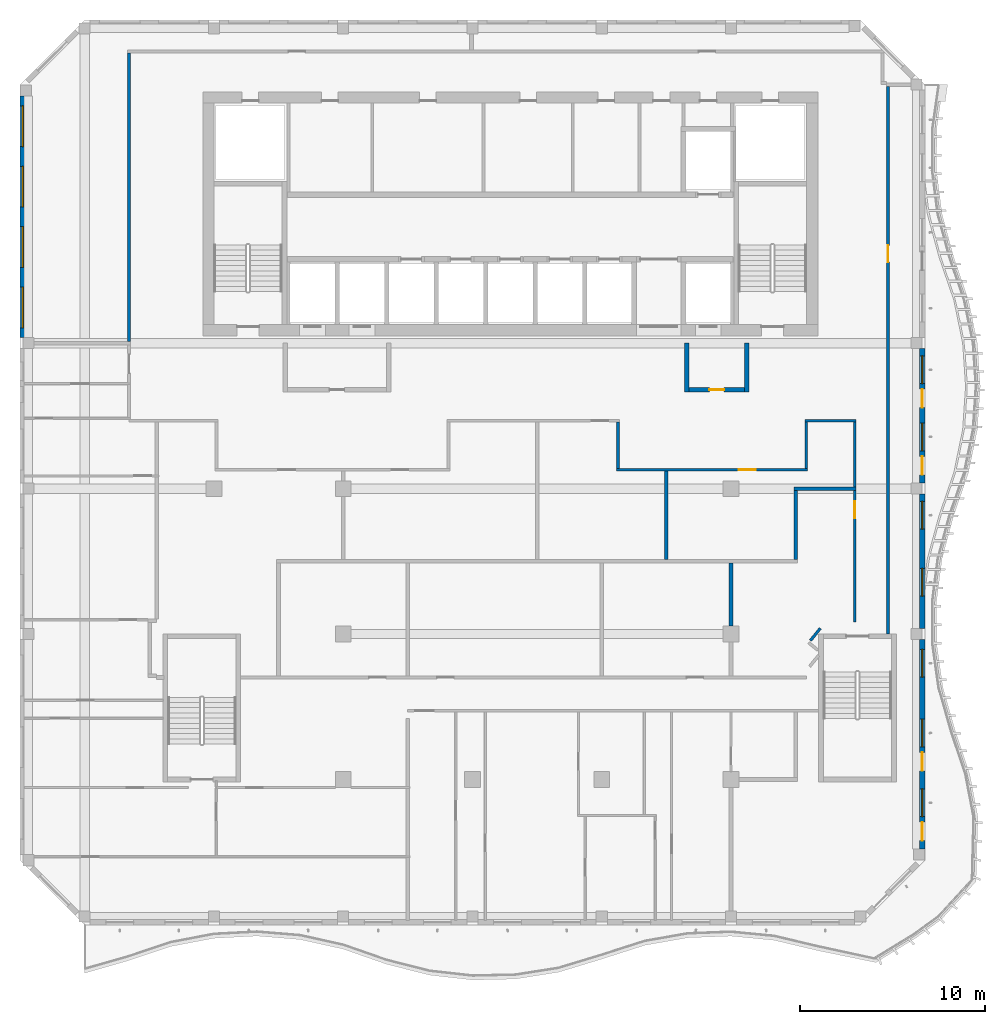
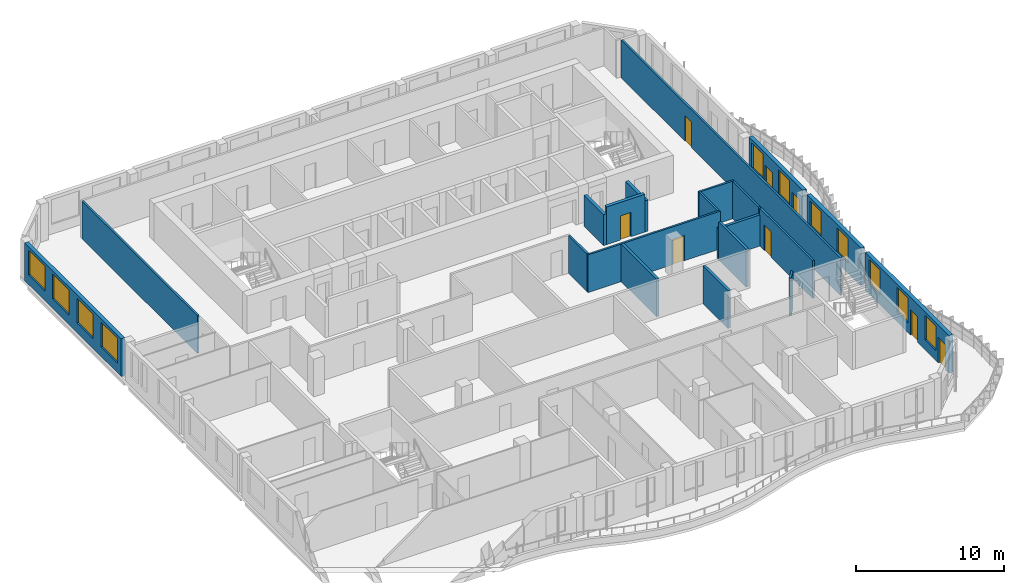
# One storey, part 5 of 17: 20 walls, 11 windows, 8 doors, 19 openings.
"""IFC4 building model written with IfcOpenShell, lengths in metres."""

from ifc_helpers import new_model, si_unit, direction, frame, frame_2d, origin, place, context, subcontext, project, spatial, rectangle, extrude, source, transform, mapped, material, layer, layer_set, type_object, element, fill, save


model = new_model("IFC4")

# Units and contexts
model_context = context("Model", 3, precision=1e-05, world=origin(), true_north=direction((0.0, 1.0)))
body_context = subcontext(model_context, "Body", "Model", "MODEL_VIEW")
ifc_project = project(units=[si_unit("LENGTHUNIT", "METRE"), si_unit("AREAUNIT", "SQUARE_METRE"), si_unit("VOLUMEUNIT", "CUBIC_METRE"), si_unit("PLANEANGLEUNIT", "RADIAN"), si_unit("MASSUNIT", "GRAM", prefix="KILO")], contexts=[model_context])

# Site, building, storey
site_placement = place(None, origin())
site = spatial("IfcSite", under=ifc_project, at=site_placement, CompositionType="ELEMENT")
building_placement = place(site_placement, origin())
building = spatial("IfcBuilding", under=site, at=building_placement, Name="Kilnfold Tower and Market Hall", CompositionType="ELEMENT")
storey_placement = place(building_placement, frame((0.0, 0.0, 305.199951171875)))
storey = spatial("IfcBuildingStorey", under=building, at=storey_placement, Name="L76", CompositionType="ELEMENT", Elevation=305.199951171875)

# Wall, opening, door
ifc_material_1 = material(Name="Gypsum board on steel studs", Category="steel")
ifc_layer_1 = layer(ifc_material_1, 0.14990234375)
ifc_layer_set_1 = layer_set([ifc_layer_1], Name="Gypsum board on steel studs")
wall_type_1 = type_object("IfcWallType", Name="WALL CORRIDOR 150", PredefinedType="PARTITIONING", material=ifc_layer_set_1)
wall_1_placement = place(storey_placement, frame((21.5, -7.75, 0.0), z_axis=(0.0, 0.0, 1.0), x_axis=(0.0, 1.0, 0.0)))
wall_1 = element("IfcWall", 1, at=wall_1_placement, inside=storey, type_object=wall_type_1, Name="Partition LY46.5", PredefinedType="PARTITIONING", context=body_context, shape_type="SweptSolid", body=[
    extrude(rectangle(XDim=29.659912109375, YDim=0.14990234375, at=frame_2d((14.830078125, 0.0))), origin(), (0.0, 0.0, 1.0), 3.1201171875),
])
opening_1_placement = place(wall_1_placement, frame((20.14208984375, 0.0, 0.0)))
opening_1 = element("IfcOpeningElement", 2, at=opening_1_placement, cuts=wall_1, Name="Opening D2", PredefinedType="OPENING", context=body_context, shape_type="SweptSolid", body=[
    extrude(rectangle(XDim=0.89990234375, YDim=2.10009765625, at=frame_2d((0.449951171875, 1.050048828125))), frame((0.0, 0.0849609375, 0.0), z_axis=(0.0, -1.0, 0.0), x_axis=(1.0, 0.0, 0.0)), (0.0, 0.0, 1.0), 0.169921875),
])
ifc_material_2 = material(Name="Timber veneer door leaf in steel frame", Category="steel")
door_type_1 = type_object("IfcDoorType", Name="DOOR ROOM 900 X2100", OperationType="NOTDEFINED", PredefinedType="DOOR", material=ifc_material_2)
door_1_placement = place(opening_1_placement, origin())
door_1 = element("IfcDoor", 3, at=door_1_placement, inside=storey, type_object=door_type_1, Name="Door D2", OperationType="SINGLE_SWING_RIGHT", OverallHeight=2.10009765625, OverallWidth=0.89990234375, PredefinedType="DOOR", context=body_context, shape_type="SweptSolid", body=[
    extrude(rectangle(XDim=0.89990234375, YDim=2.10009765625, at=frame_2d((0.449951171875, 1.050048828125))), frame((0.0, 0.02490234375, 0.0), z_axis=(0.0, -1.0, 0.0), x_axis=(1.0, 0.0, 0.0)), (0.0, 0.0, 1.0), 0.050048828125),
])
fill(opening_1, door_1)

# Wall
wall_2_placement = place(storey_placement, frame((-19.60009765625, 8.090087890625, 0.0), z_axis=(0.0, 0.0, 1.0), x_axis=(0.0, 1.0, 0.0)))
element("IfcWall", 4, at=wall_2_placement, inside=storey, type_object=wall_type_1, Name="Partition LY46.6", PredefinedType="PARTITIONING", context=body_context, shape_type="SweptSolid", body=[
    extrude(rectangle(XDim=15.635009765625, YDim=0.14990234375, at=frame_2d((7.8173828125, 0.0))), origin(), (0.0, 0.0, 1.0), 3.1201171875),
])

# Wall, opening, door
wall_3_placement = place(storey_placement, frame((6.804931640625, 1.14990234375, 0.0), z_axis=(0.0, 0.0, 1.0), x_axis=(1.0, 0.0, 0.0)))
wall_3 = element("IfcWall", 5, at=wall_3_placement, inside=storey, type_object=wall_type_1, Name="Partition LY46.15", PredefinedType="PARTITIONING", context=body_context, shape_type="SweptSolid", body=[
    extrude(rectangle(XDim=10.35009765625, YDim=0.14990234375, at=frame_2d((5.175048828125, 0.0))), origin(), (0.0, 0.0, 1.0), 3.1201171875),
])
opening_2_placement = place(wall_3_placement, frame((6.623046875, 0.0, 0.0)))
opening_2 = element("IfcOpeningElement", 6, at=opening_2_placement, cuts=wall_3, Name="Opening D2", PredefinedType="OPENING", context=body_context, shape_type="SweptSolid", body=[
    extrude(rectangle(XDim=0.89990234375, YDim=2.10009765625, at=frame_2d((0.449951171875, 1.050048828125))), frame((0.0, 0.0849609375, 0.0), z_axis=(0.0, -1.0, 0.0), x_axis=(1.0, 0.0, 0.0)), (0.0, 0.0, 1.0), 0.169921875),
])
door_2_placement = place(opening_2_placement, origin())
door_2 = element("IfcDoor", 7, at=door_2_placement, inside=storey, type_object=door_type_1, Name="Door D2", OperationType="SINGLE_SWING_RIGHT", OverallHeight=2.10009765625, OverallWidth=0.89990234375, PredefinedType="DOOR", context=body_context, shape_type="SweptSolid", body=[
    extrude(rectangle(XDim=0.89990234375, YDim=2.10009765625, at=frame_2d((0.449951171875, 1.050048828125))), frame((0.0, 0.02490234375, 0.0), z_axis=(0.0, -1.0, 0.0), x_axis=(1.0, 0.0, 0.0)), (0.0, 0.0, 1.0), 0.050048828125),
])
fill(opening_2, door_2)

# Walls
wall_4_placement = place(storey_placement, frame((6.8798828125, 3.72509765625, 0.0), z_axis=(0.0, 0.0, 1.0), x_axis=(0.0, -1.0, 0.0)))
element("IfcWall", 8, at=wall_4_placement, inside=storey, type_object=wall_type_1, Name="Partition LY46.16", PredefinedType="PARTITIONING", context=body_context, shape_type="SweptSolid", body=[
    extrude(rectangle(XDim=2.5, YDim=0.14990234375, at=frame_2d((1.25, 0.0))), origin(), (0.0, 0.0, 1.0), 3.1201171875),
])
wall_5_placement = place(storey_placement, frame((17.8349609375, -7.44189453125, 0.0), z_axis=(0.0, 0.0, 1.0), x_axis=(-0.628859024249, -0.777519342281, 0.0)))
element("IfcWall", 9, at=wall_5_placement, inside=storey, type_object=wall_type_1, Name="Partition LY46.19", PredefinedType="PARTITIONING", context=body_context, shape_type="SweptSolid", body=[
    extrude(rectangle(XDim=0.84912109375, YDim=0.14990234375, at=frame_2d((0.424560546875, 0.0))), origin(), (0.0, 0.0, 1.0), 3.1201171875),
])

# Wall, opening, door
wall_6_placement = place(storey_placement, frame((19.699951171875, -7.10009765625, 0.0), z_axis=(0.0, 0.0, 1.0), x_axis=(0.0, 1.0, 0.0)))
wall_6 = element("IfcWall", 10, at=wall_6_placement, inside=storey, type_object=wall_type_1, Name="Partition LY46.20", PredefinedType="PARTITIONING", context=body_context, shape_type="SweptSolid", body=[
    extrude(rectangle(XDim=7.135009765625, YDim=0.14990234375, at=frame_2d((3.5673828125, 0.0))), origin(), (0.0, 0.0, 1.0), 3.1201171875),
])
opening_3_placement = place(wall_6_placement, frame((5.633056640625, 0.0, 0.0)))
opening_3 = element("IfcOpeningElement", 11, at=opening_3_placement, cuts=wall_6, Name="Opening D2", PredefinedType="OPENING", context=body_context, shape_type="SweptSolid", body=[
    extrude(rectangle(XDim=0.89990234375, YDim=2.10009765625, at=frame_2d((0.449951171875, 1.050048828125))), frame((0.0, 0.0849609375, 0.0), z_axis=(0.0, -1.0, 0.0), x_axis=(1.0, 0.0, 0.0)), (0.0, 0.0, 1.0), 0.169921875),
])
door_3_placement = place(opening_3_placement, origin())
door_3 = element("IfcDoor", 12, at=door_3_placement, inside=storey, type_object=door_type_1, Name="Door D2", OperationType="SINGLE_SWING_LEFT", OverallHeight=2.10009765625, OverallWidth=0.89990234375, PredefinedType="DOOR", context=body_context, shape_type="SweptSolid", body=[
    extrude(rectangle(XDim=0.89990234375, YDim=2.10009765625, at=frame_2d((0.449951171875, 1.050048828125))), frame((0.0, 0.02490234375, 0.0), z_axis=(0.0, -1.0, 0.0), x_axis=(1.0, 0.0, 0.0)), (0.0, 0.0, 1.0), 0.050048828125),
])
fill(opening_3, door_3)

# Walls
wall_7_placement = place(storey_placement, frame((19.699951171875, 0.215087890625, 0.0), z_axis=(0.0, 0.0, 1.0), x_axis=(0.0, 1.0, 0.0)))
element("IfcWall", 13, at=wall_7_placement, inside=storey, type_object=wall_type_1, Name="Partition LY46.21", PredefinedType="PARTITIONING", context=body_context, shape_type="SweptSolid", body=[
    extrude(rectangle(XDim=3.510009765625, YDim=0.14990234375, at=frame_2d((1.7548828125, 0.0))), origin(), (0.0, 0.0, 1.0), 3.1201171875),
])
wall_8_placement = place(storey_placement, frame((17.0048828125, 3.800048828125, 0.0), z_axis=(0.0, 0.0, 1.0), x_axis=(1.0, 0.0, 0.0)))
element("IfcWall", 14, at=wall_8_placement, inside=storey, type_object=wall_type_1, Name="Partition LY46.22", PredefinedType="PARTITIONING", context=body_context, shape_type="SweptSolid", body=[
    extrude(rectangle(XDim=2.77001953125, YDim=0.14990234375, at=frame_2d((1.385009765625, 0.0))), origin(), (0.0, 0.0, 1.0), 3.1201171875),
])
wall_9_placement = place(storey_placement, frame((17.080078125, 1.22509765625, 0.0), z_axis=(0.0, 0.0, 1.0), x_axis=(0.0, 1.0, 0.0)))
element("IfcWall", 15, at=wall_9_placement, inside=storey, type_object=wall_type_1, Name="Partition LY46.23", PredefinedType="PARTITIONING", context=body_context, shape_type="SweptSolid", body=[
    extrude(rectangle(XDim=2.5, YDim=0.14990234375, at=frame_2d((1.25, 0.0))), origin(), (0.0, 0.0, 1.0), 3.1201171875),
])
ifc_material_3 = material(Name="Gypsum board on steel studs", Category="steel")
ifc_layer_2 = layer(ifc_material_3, 0.199951171875)
ifc_layer_set_2 = layer_set([ifc_layer_2], Name="Gypsum board on steel studs")
wall_type_2 = type_object("IfcWallType", Name="WALL PARTY 200", PredefinedType="PARTITIONING", material=ifc_layer_set_2)
wall_10_placement = place(storey_placement, frame((9.5, -3.7119140625, 0.0), z_axis=(0.0, 0.0, 1.0), x_axis=(0.0, 1.0, 0.0)))
element("IfcWall", 16, at=wall_10_placement, inside=storey, type_object=wall_type_2, Name="Partition LY46.67", PredefinedType="PARTITIONING", context=body_context, shape_type="SweptSolid", body=[
    extrude(rectangle(XDim=4.784912109375, YDim=0.199951171875, at=frame_2d((2.392578125, 0.0))), origin(), (0.0, 0.0, 1.0), 3.1201171875),
])
wall_11_placement = place(storey_placement, frame((13.0, -7.324951171875, 0.0), z_axis=(0.0, 0.0, 1.0), x_axis=(0.0, 1.0, 0.0)))
element("IfcWall", 17, at=wall_11_placement, inside=storey, type_object=wall_type_2, Name="Partition LY46.68", PredefinedType="PARTITIONING", context=body_context, shape_type="SweptSolid", body=[
    extrude(rectangle(XDim=3.412841796875, YDim=0.199951171875, at=frame_2d((1.70654296875, 0.0))), origin(), (0.0, 0.0, 1.0), 3.1201171875),
])
wall_12_placement = place(storey_placement, frame((16.5, -3.7119140625, 0.0), z_axis=(0.0, 0.0, 1.0), x_axis=(0.0, 1.0, 0.0)))
element("IfcWall", 18, at=wall_12_placement, inside=storey, type_object=wall_type_2, Name="Partition LY46.70", PredefinedType="PARTITIONING", context=body_context, shape_type="SweptSolid", body=[
    extrude(rectangle(XDim=3.73681640625, YDim=0.199951171875, at=frame_2d((1.868408203125, 0.0))), origin(), (0.0, 0.0, 1.0), 3.1201171875),
])
wall_13_placement = place(storey_placement, frame((19.77294921875, 0.125, 0.0), z_axis=(0.0, 0.0, 1.0), x_axis=(-1.0, 0.0, 0.0)))
element("IfcWall", 19, at=wall_13_placement, inside=storey, type_object=wall_type_2, Name="Partition LY46.71", PredefinedType="PARTITIONING", context=body_context, shape_type="SweptSolid", body=[
    extrude(rectangle(XDim=3.373046875, YDim=0.199951171875, at=frame_2d((1.6865234375, 0.0))), origin(), (0.0, 0.0, 1.0), 2.570068359375),
])

# Wall, openings, doors, windows
ifc_material_4 = material(Name="Precast concrete C50/60", Category="concrete")
ifc_layer_3 = layer(ifc_material_4, 0.300048828125)
ifc_layer_set_3 = layer_set([ifc_layer_3], Name="Precast concrete C50/60")
wall_type_3 = type_object("IfcWallType", Name="PRECAST WALL 300", PredefinedType="SOLIDWALL", material=ifc_layer_set_3)
shared_shape_1 = source(origin(), body_context, "Body", "SweptSolid", [
    extrude(rectangle(XDim=11.331787109375, YDim=0.300048828125, at=frame_2d((5.666015625, 0.0))), origin(), (0.0, 0.0, 1.0), 3.1201171875),
])
wall_14_placement = place(storey_placement, frame((23.35009765625, -19.3818359375, 0.0), z_axis=(0.0, 0.0, 1.0), x_axis=(0.0, 1.0, 0.0)))
wall_14 = element("IfcWall", 20, at=wall_14_placement, inside=storey, type_object=wall_type_3, Name="External wall L76 E", PredefinedType="SOLIDWALL", context=body_context, shape_type="MappedRepresentation", body=[
    mapped(shared_shape_1, transform((0.0, 0.0, 0.0))),
])
opening_4_placement = place(wall_14_placement, frame((1.75, 0.0, 0.800048828125)))
opening_4 = element("IfcOpeningElement", 21, at=opening_4_placement, cuts=wall_14, Name="Opening W5", PredefinedType="OPENING", context=body_context, shape_type="SweptSolid", body=[
    extrude(rectangle(XDim=1.5, YDim=2.050048828125, at=frame_2d((0.75, 1.02490234375))), frame((0.0, 0.16015625, 0.0), z_axis=(0.0, -1.0, 0.0), x_axis=(1.0, 0.0, 0.0)), (0.0, 0.0, 1.0), 0.320068359375),
])
opening_5_placement = place(wall_14_placement, frame((0.449951171875, 0.0, 0.0)))
opening_5 = element("IfcOpeningElement", 22, at=opening_5_placement, cuts=wall_14, Name="Opening BD1", PredefinedType="OPENING", context=body_context, shape_type="SweptSolid", body=[
    extrude(rectangle(XDim=1.0, YDim=2.10009765625, at=frame_2d((0.5, 1.050048828125))), frame((0.0, 0.16015625, 0.0), z_axis=(0.0, -1.0, 0.0), x_axis=(1.0, 0.0, 0.0)), (0.0, 0.0, 1.0), 0.320068359375),
])
opening_6_placement = place(wall_14_placement, frame((5.52734375, 0.0, 0.800048828125)))
opening_6 = element("IfcOpeningElement", 23, at=opening_6_placement, cuts=wall_14, Name="Opening W5", PredefinedType="OPENING", context=body_context, shape_type="SweptSolid", body=[
    extrude(rectangle(XDim=1.5, YDim=2.050048828125, at=frame_2d((0.75, 1.02490234375))), frame((0.0, 0.16015625, 0.0), z_axis=(0.0, -1.0, 0.0), x_axis=(1.0, 0.0, 0.0)), (0.0, 0.0, 1.0), 0.320068359375),
])
opening_7_placement = place(wall_14_placement, frame((4.227294921875, 0.0, 0.0)))
opening_7 = element("IfcOpeningElement", 24, at=opening_7_placement, cuts=wall_14, Name="Opening BD1", PredefinedType="OPENING", context=body_context, shape_type="SweptSolid", body=[
    extrude(rectangle(XDim=1.0, YDim=2.10009765625, at=frame_2d((0.5, 1.050048828125))), frame((0.0, 0.16015625, 0.0), z_axis=(0.0, -1.0, 0.0), x_axis=(1.0, 0.0, 0.0)), (0.0, 0.0, 1.0), 0.320068359375),
])
opening_8_placement = place(wall_14_placement, frame((9.304443359375, 0.0, 0.800048828125)))
opening_8 = element("IfcOpeningElement", 25, at=opening_8_placement, cuts=wall_14, Name="Opening W5", PredefinedType="OPENING", context=body_context, shape_type="SweptSolid", body=[
    extrude(rectangle(XDim=1.5, YDim=2.050048828125, at=frame_2d((0.75, 1.02490234375))), frame((0.0, 0.16015625, 0.0), z_axis=(0.0, -1.0, 0.0), x_axis=(1.0, 0.0, 0.0)), (0.0, 0.0, 1.0), 0.320068359375),
])
ifc_material_5 = material(Name="Aluminium frame and double glazing", Category="aluminium")
door_type_2 = type_object("IfcDoorType", Name="BALCONY DOOR 1000X2100", OperationType="NOTDEFINED", PredefinedType="DOOR", material=ifc_material_5)
door_4_placement = place(opening_5_placement, origin())
door_4 = element("IfcDoor", 26, at=door_4_placement, inside=storey, type_object=door_type_2, Name="Balcony door BD1 L76 E-1", OperationType="SINGLE_SWING_LEFT", OverallHeight=2.10009765625, OverallWidth=1.0, PredefinedType="DOOR", context=body_context, shape_type="SweptSolid", body=[
    extrude(rectangle(XDim=1.0, YDim=2.10009765625, at=frame_2d((0.5, 1.050048828125))), frame((0.0, 0.02490234375, 0.0), z_axis=(0.0, -1.0, 0.0), x_axis=(1.0, 0.0, 0.0)), (0.0, 0.0, 1.0), 0.050048828125),
])
fill(opening_5, door_4)
door_5_placement = place(opening_7_placement, origin())
door_5 = element("IfcDoor", 27, at=door_5_placement, inside=storey, type_object=door_type_2, Name="Balcony door BD1 L76 E-2", OperationType="SINGLE_SWING_RIGHT", OverallHeight=2.10009765625, OverallWidth=1.0, PredefinedType="DOOR", context=body_context, shape_type="SweptSolid", body=[
    extrude(rectangle(XDim=1.0, YDim=2.10009765625, at=frame_2d((0.5, 1.050048828125))), frame((0.0, 0.02490234375, 0.0), z_axis=(0.0, -1.0, 0.0), x_axis=(1.0, 0.0, 0.0)), (0.0, 0.0, 1.0), 0.050048828125),
])
fill(opening_7, door_5)
ifc_material_6 = material(Name="Aluminium frame and double glazing", Category="aluminium")
window_type_1 = type_object("IfcWindowType", Name="WINDOW W5 1500X2050", PartitioningType="SINGLE_PANEL", PredefinedType="WINDOW", material=ifc_material_6)
window_1_placement = place(opening_4_placement, origin())
window_1 = element("IfcWindow", 28, at=window_1_placement, inside=storey, type_object=window_type_1, Name="Window W5 L76 E-1", OverallHeight=2.050048828125, OverallWidth=1.5, PartitioningType="SINGLE_PANEL", PredefinedType="WINDOW", context=body_context, shape_type="SweptSolid", body=[
    extrude(rectangle(XDim=1.5, YDim=2.050048828125, at=frame_2d((0.75, 1.02490234375))), frame((0.0, 0.030029296875, 0.0), z_axis=(0.0, -1.0, 0.0), x_axis=(1.0, 0.0, 0.0)), (0.0, 0.0, 1.0), 0.06005859375),
])
fill(opening_4, window_1)
window_2_placement = place(opening_6_placement, origin())
window_2 = element("IfcWindow", 29, at=window_2_placement, inside=storey, type_object=window_type_1, Name="Window W5 L76 E-2", OverallHeight=2.050048828125, OverallWidth=1.5, PartitioningType="SINGLE_PANEL", PredefinedType="WINDOW", context=body_context, shape_type="SweptSolid", body=[
    extrude(rectangle(XDim=1.5, YDim=2.050048828125, at=frame_2d((0.75, 1.02490234375))), frame((0.0, 0.030029296875, 0.0), z_axis=(0.0, -1.0, 0.0), x_axis=(1.0, 0.0, 0.0)), (0.0, 0.0, 1.0), 0.06005859375),
])
fill(opening_6, window_2)
window_3_placement = place(opening_8_placement, origin())
window_3 = element("IfcWindow", 30, at=window_3_placement, inside=storey, type_object=window_type_1, Name="Window W5 L76 E-3", OverallHeight=2.050048828125, OverallWidth=1.5, PartitioningType="SINGLE_PANEL", PredefinedType="WINDOW", context=body_context, shape_type="SweptSolid", body=[
    extrude(rectangle(XDim=1.5, YDim=2.050048828125, at=frame_2d((0.75, 1.02490234375))), frame((0.0, 0.030029296875, 0.0), z_axis=(0.0, -1.0, 0.0), x_axis=(1.0, 0.0, 0.0)), (0.0, 0.0, 1.0), 0.06005859375),
])
fill(opening_8, window_3)

# Wall, openings, windows
shared_shape_2 = source(origin(), body_context, "Body", "SweptSolid", [
    extrude(rectangle(XDim=7.27490234375, YDim=0.300048828125, at=frame_2d((3.637451171875, 0.0))), origin(), (0.0, 0.0, 1.0), 3.1201171875),
])
wall_15_placement = place(storey_placement, frame((23.35009765625, -7.449951171875, 0.0), z_axis=(0.0, 0.0, 1.0), x_axis=(0.0, 1.0, 0.0)))
wall_15 = element("IfcWall", 31, at=wall_15_placement, inside=storey, type_object=wall_type_3, Name="External wall L76 E", PredefinedType="SOLIDWALL", context=body_context, shape_type="MappedRepresentation", body=[
    mapped(shared_shape_2, transform((0.0, 0.0, 0.0))),
])
opening_9_placement = place(wall_15_placement, frame((1.75, 0.0, 0.800048828125)))
opening_9 = element("IfcOpeningElement", 32, at=opening_9_placement, cuts=wall_15, Name="Opening W5", PredefinedType="OPENING", context=body_context, shape_type="SweptSolid", body=[
    extrude(rectangle(XDim=1.5, YDim=2.050048828125, at=frame_2d((0.75, 1.02490234375))), frame((0.0, 0.16015625, 0.0), z_axis=(0.0, -1.0, 0.0), x_axis=(1.0, 0.0, 0.0)), (0.0, 0.0, 1.0), 0.320068359375),
])
opening_10_placement = place(wall_15_placement, frame((5.387451171875, 0.0, 0.800048828125)))
opening_10 = element("IfcOpeningElement", 33, at=opening_10_placement, cuts=wall_15, Name="Opening W5", PredefinedType="OPENING", context=body_context, shape_type="SweptSolid", body=[
    extrude(rectangle(XDim=1.5, YDim=2.050048828125, at=frame_2d((0.75, 1.02490234375))), frame((0.0, 0.16015625, 0.0), z_axis=(0.0, -1.0, 0.0), x_axis=(1.0, 0.0, 0.0)), (0.0, 0.0, 1.0), 0.320068359375),
])
window_4_placement = place(opening_9_placement, origin())
window_4 = element("IfcWindow", 34, at=window_4_placement, inside=storey, type_object=window_type_1, Name="Window W5 L76 E-1", OverallHeight=2.050048828125, OverallWidth=1.5, PartitioningType="SINGLE_PANEL", PredefinedType="WINDOW", context=body_context, shape_type="SweptSolid", body=[
    extrude(rectangle(XDim=1.5, YDim=2.050048828125, at=frame_2d((0.75, 1.02490234375))), frame((0.0, 0.030029296875, 0.0), z_axis=(0.0, -1.0, 0.0), x_axis=(1.0, 0.0, 0.0)), (0.0, 0.0, 1.0), 0.06005859375),
])
fill(opening_9, window_4)
window_5_placement = place(opening_10_placement, origin())
window_5 = element("IfcWindow", 35, at=window_5_placement, inside=storey, type_object=window_type_1, Name="Window W5 L76 E-2", OverallHeight=2.050048828125, OverallWidth=1.5, PartitioningType="SINGLE_PANEL", PredefinedType="WINDOW", context=body_context, shape_type="SweptSolid", body=[
    extrude(rectangle(XDim=1.5, YDim=2.050048828125, at=frame_2d((0.75, 1.02490234375))), frame((0.0, 0.030029296875, 0.0), z_axis=(0.0, -1.0, 0.0), x_axis=(1.0, 0.0, 0.0)), (0.0, 0.0, 1.0), 0.06005859375),
])
fill(opening_10, window_5)

# Wall, openings, doors, windows
wall_16_placement = place(storey_placement, frame((23.35009765625, 0.425048828125, 0.0), z_axis=(0.0, 0.0, 1.0), x_axis=(0.0, 1.0, 0.0)))
wall_16 = element("IfcWall", 36, at=wall_16_placement, inside=storey, type_object=wall_type_3, Name="External wall L76 E", PredefinedType="SOLIDWALL", context=body_context, shape_type="MappedRepresentation", body=[
    mapped(shared_shape_2, transform((0.0, 0.0, 0.0))),
])
opening_11_placement = place(wall_16_placement, frame((1.75, 0.0, 0.800048828125)))
opening_11 = element("IfcOpeningElement", 37, at=opening_11_placement, cuts=wall_16, Name="Opening W5", PredefinedType="OPENING", context=body_context, shape_type="SweptSolid", body=[
    extrude(rectangle(XDim=1.5, YDim=2.050048828125, at=frame_2d((0.75, 1.02490234375))), frame((0.0, 0.16015625, 0.0), z_axis=(0.0, -1.0, 0.0), x_axis=(1.0, 0.0, 0.0)), (0.0, 0.0, 1.0), 0.320068359375),
])
opening_12_placement = place(wall_16_placement, frame((0.449951171875, 0.0, 0.0)))
opening_12 = element("IfcOpeningElement", 38, at=opening_12_placement, cuts=wall_16, Name="Opening BD1", PredefinedType="OPENING", context=body_context, shape_type="SweptSolid", body=[
    extrude(rectangle(XDim=1.0, YDim=2.10009765625, at=frame_2d((0.5, 1.050048828125))), frame((0.0, 0.16015625, 0.0), z_axis=(0.0, -1.0, 0.0), x_axis=(1.0, 0.0, 0.0)), (0.0, 0.0, 1.0), 0.320068359375),
])
opening_13_placement = place(wall_16_placement, frame((5.387451171875, 0.0, 0.800048828125)))
opening_13 = element("IfcOpeningElement", 39, at=opening_13_placement, cuts=wall_16, Name="Opening W5", PredefinedType="OPENING", context=body_context, shape_type="SweptSolid", body=[
    extrude(rectangle(XDim=1.5, YDim=2.050048828125, at=frame_2d((0.75, 1.02490234375))), frame((0.0, 0.16015625, 0.0), z_axis=(0.0, -1.0, 0.0), x_axis=(1.0, 0.0, 0.0)), (0.0, 0.0, 1.0), 0.320068359375),
])
opening_14_placement = place(wall_16_placement, frame((4.08740234375, 0.0, 0.0)))
opening_14 = element("IfcOpeningElement", 40, at=opening_14_placement, cuts=wall_16, Name="Opening BD1", PredefinedType="OPENING", context=body_context, shape_type="SweptSolid", body=[
    extrude(rectangle(XDim=1.0, YDim=2.10009765625, at=frame_2d((0.5, 1.050048828125))), frame((0.0, 0.16015625, 0.0), z_axis=(0.0, -1.0, 0.0), x_axis=(1.0, 0.0, 0.0)), (0.0, 0.0, 1.0), 0.320068359375),
])
door_6_placement = place(opening_12_placement, origin())
door_6 = element("IfcDoor", 41, at=door_6_placement, inside=storey, type_object=door_type_2, Name="Balcony door BD1 L76 E-1", OperationType="SINGLE_SWING_LEFT", OverallHeight=2.10009765625, OverallWidth=1.0, PredefinedType="DOOR", context=body_context, shape_type="SweptSolid", body=[
    extrude(rectangle(XDim=1.0, YDim=2.10009765625, at=frame_2d((0.5, 1.050048828125))), frame((0.0, 0.02490234375, 0.0), z_axis=(0.0, -1.0, 0.0), x_axis=(1.0, 0.0, 0.0)), (0.0, 0.0, 1.0), 0.050048828125),
])
fill(opening_12, door_6)
door_7_placement = place(opening_14_placement, origin())
door_7 = element("IfcDoor", 42, at=door_7_placement, inside=storey, type_object=door_type_2, Name="Balcony door BD1 L76 E-2", OperationType="SINGLE_SWING_RIGHT", OverallHeight=2.10009765625, OverallWidth=1.0, PredefinedType="DOOR", context=body_context, shape_type="SweptSolid", body=[
    extrude(rectangle(XDim=1.0, YDim=2.10009765625, at=frame_2d((0.5, 1.050048828125))), frame((0.0, 0.02490234375, 0.0), z_axis=(0.0, -1.0, 0.0), x_axis=(1.0, 0.0, 0.0)), (0.0, 0.0, 1.0), 0.050048828125),
])
fill(opening_14, door_7)
window_6_placement = place(opening_11_placement, origin())
window_6 = element("IfcWindow", 43, at=window_6_placement, inside=storey, type_object=window_type_1, Name="Window W5 L76 E-1", OverallHeight=2.050048828125, OverallWidth=1.5, PartitioningType="SINGLE_PANEL", PredefinedType="WINDOW", context=body_context, shape_type="SweptSolid", body=[
    extrude(rectangle(XDim=1.5, YDim=2.050048828125, at=frame_2d((0.75, 1.02490234375))), frame((0.0, 0.030029296875, 0.0), z_axis=(0.0, -1.0, 0.0), x_axis=(1.0, 0.0, 0.0)), (0.0, 0.0, 1.0), 0.06005859375),
])
fill(opening_11, window_6)
window_7_placement = place(opening_13_placement, origin())
window_7 = element("IfcWindow", 44, at=window_7_placement, inside=storey, type_object=window_type_1, Name="Window W5 L76 E-2", OverallHeight=2.050048828125, OverallWidth=1.5, PartitioningType="SINGLE_PANEL", PredefinedType="WINDOW", context=body_context, shape_type="SweptSolid", body=[
    extrude(rectangle(XDim=1.5, YDim=2.050048828125, at=frame_2d((0.75, 1.02490234375))), frame((0.0, 0.030029296875, 0.0), z_axis=(0.0, -1.0, 0.0), x_axis=(1.0, 0.0, 0.0)), (0.0, 0.0, 1.0), 0.06005859375),
])
fill(opening_13, window_7)

# Wall, openings, windows
shared_shape_3 = source(origin(), body_context, "Body", "SweptSolid", [
    extrude(rectangle(XDim=13.081787109375, YDim=0.300048828125, at=frame_2d((6.541015625, 0.0))), origin(), (0.0, 0.0, 1.0), 3.1201171875),
])
wall_17_placement = place(storey_placement, frame((-25.35009765625, 21.3818359375, 0.0), z_axis=(0.0, 0.0, 1.0), x_axis=(0.0, -1.0, 0.0)))
wall_17 = element("IfcWall", 45, at=wall_17_placement, inside=storey, type_object=wall_type_3, Name="External wall L76 W", PredefinedType="SOLIDWALL", context=body_context, shape_type="MappedRepresentation", body=[
    mapped(shared_shape_3, transform((0.0, 0.0, 0.0))),
])
opening_15_placement = place(wall_17_placement, frame((0.53515625, 0.0, 0.800048828125)))
opening_15 = element("IfcOpeningElement", 46, at=opening_15_placement, cuts=wall_17, Name="Opening W3", PredefinedType="OPENING", context=body_context, shape_type="SweptSolid", body=[
    extrude(rectangle(XDim=2.199951171875, YDim=2.050048828125, at=frame_2d((1.10009765625, 1.02490234375))), frame((0.0, 0.16015625, 0.0), z_axis=(0.0, -1.0, 0.0), x_axis=(1.0, 0.0, 0.0)), (0.0, 0.0, 1.0), 0.320068359375),
])
opening_16_placement = place(wall_17_placement, frame((3.8056640625, 0.0, 0.800048828125)))
opening_16 = element("IfcOpeningElement", 47, at=opening_16_placement, cuts=wall_17, Name="Opening W3", PredefinedType="OPENING", context=body_context, shape_type="SweptSolid", body=[
    extrude(rectangle(XDim=2.199951171875, YDim=2.050048828125, at=frame_2d((1.10009765625, 1.02490234375))), frame((0.0, 0.16015625, 0.0), z_axis=(0.0, -1.0, 0.0), x_axis=(1.0, 0.0, 0.0)), (0.0, 0.0, 1.0), 0.320068359375),
])
opening_17_placement = place(wall_17_placement, frame((7.076171875, 0.0, 0.800048828125)))
opening_17 = element("IfcOpeningElement", 48, at=opening_17_placement, cuts=wall_17, Name="Opening W3", PredefinedType="OPENING", context=body_context, shape_type="SweptSolid", body=[
    extrude(rectangle(XDim=2.199951171875, YDim=2.050048828125, at=frame_2d((1.10009765625, 1.02490234375))), frame((0.0, 0.16015625, 0.0), z_axis=(0.0, -1.0, 0.0), x_axis=(1.0, 0.0, 0.0)), (0.0, 0.0, 1.0), 0.320068359375),
])
opening_18_placement = place(wall_17_placement, frame((10.3466796875, 0.0, 0.800048828125)))
opening_18 = element("IfcOpeningElement", 49, at=opening_18_placement, cuts=wall_17, Name="Opening W3", PredefinedType="OPENING", context=body_context, shape_type="SweptSolid", body=[
    extrude(rectangle(XDim=2.199951171875, YDim=2.050048828125, at=frame_2d((1.10009765625, 1.02490234375))), frame((0.0, 0.16015625, 0.0), z_axis=(0.0, -1.0, 0.0), x_axis=(1.0, 0.0, 0.0)), (0.0, 0.0, 1.0), 0.320068359375),
])
ifc_material_7 = material(Name="Aluminium frame and double glazing", Category="aluminium")
window_type_2 = type_object("IfcWindowType", Name="WINDOW W3 2200X2050", PartitioningType="SINGLE_PANEL", PredefinedType="WINDOW", material=ifc_material_7)
window_8_placement = place(opening_15_placement, origin())
window_8 = element("IfcWindow", 50, at=window_8_placement, inside=storey, type_object=window_type_2, Name="Window W3 L76 W-1", OverallHeight=2.050048828125, OverallWidth=2.199951171875, PartitioningType="SINGLE_PANEL", PredefinedType="WINDOW", context=body_context, shape_type="SweptSolid", body=[
    extrude(rectangle(XDim=2.199951171875, YDim=2.050048828125, at=frame_2d((1.10009765625, 1.02490234375))), frame((0.0, 0.030029296875, 0.0), z_axis=(0.0, -1.0, 0.0), x_axis=(1.0, 0.0, 0.0)), (0.0, 0.0, 1.0), 0.06005859375),
])
fill(opening_15, window_8)
window_9_placement = place(opening_16_placement, origin())
window_9 = element("IfcWindow", 51, at=window_9_placement, inside=storey, type_object=window_type_2, Name="Window W3 L76 W-2", OverallHeight=2.050048828125, OverallWidth=2.199951171875, PartitioningType="SINGLE_PANEL", PredefinedType="WINDOW", context=body_context, shape_type="SweptSolid", body=[
    extrude(rectangle(XDim=2.199951171875, YDim=2.050048828125, at=frame_2d((1.10009765625, 1.02490234375))), frame((0.0, 0.030029296875, 0.0), z_axis=(0.0, -1.0, 0.0), x_axis=(1.0, 0.0, 0.0)), (0.0, 0.0, 1.0), 0.06005859375),
])
fill(opening_16, window_9)
window_10_placement = place(opening_17_placement, origin())
window_10 = element("IfcWindow", 52, at=window_10_placement, inside=storey, type_object=window_type_2, Name="Window W3 L76 W-3", OverallHeight=2.050048828125, OverallWidth=2.199951171875, PartitioningType="SINGLE_PANEL", PredefinedType="WINDOW", context=body_context, shape_type="SweptSolid", body=[
    extrude(rectangle(XDim=2.199951171875, YDim=2.050048828125, at=frame_2d((1.10009765625, 1.02490234375))), frame((0.0, 0.030029296875, 0.0), z_axis=(0.0, -1.0, 0.0), x_axis=(1.0, 0.0, 0.0)), (0.0, 0.0, 1.0), 0.06005859375),
])
fill(opening_17, window_10)
window_11_placement = place(opening_18_placement, origin())
window_11 = element("IfcWindow", 53, at=window_11_placement, inside=storey, type_object=window_type_2, Name="Window W3 L76 W-4", OverallHeight=2.050048828125, OverallWidth=2.199951171875, PartitioningType="SINGLE_PANEL", PredefinedType="WINDOW", context=body_context, shape_type="SweptSolid", body=[
    extrude(rectangle(XDim=2.199951171875, YDim=2.050048828125, at=frame_2d((1.10009765625, 1.02490234375))), frame((0.0, 0.030029296875, 0.0), z_axis=(0.0, -1.0, 0.0), x_axis=(1.0, 0.0, 0.0)), (0.0, 0.0, 1.0), 0.06005859375),
])
fill(opening_18, window_11)

# Wall, opening, door
ifc_material_8 = material(Name="Gypsum shaft wall system")
ifc_layer_4 = layer(ifc_material_8, 0.25)
ifc_layer_set_4 = layer_set([ifc_layer_4], Name="Gypsum shaft wall system")
wall_type_4 = type_object("IfcWallType", Name="LOBBY WALL 250", PredefinedType="PARTITIONING", material=ifc_layer_set_4)
shared_shape_4 = source(origin(), body_context, "Body", "SweptSolid", [
    extrude(rectangle(XDim=3.0, YDim=0.25, at=frame_2d((1.5, 0.0))), origin(), (0.0, 0.0, 1.0), 3.1201171875),
])
wall_18_placement = place(storey_placement, frame((10.72998046875, 5.47509765625, 0.0), z_axis=(0.0, 0.0, 1.0), x_axis=(1.0, 0.0, 0.0)))
wall_18 = element("IfcWall", 54, at=wall_18_placement, inside=storey, type_object=wall_type_4, Name="Firefighting lobby wall", PredefinedType="PARTITIONING", context=body_context, shape_type="MappedRepresentation", body=[
    mapped(shared_shape_4, transform((0.0, 0.0, 0.0))),
])
opening_19_placement = place(wall_18_placement, frame((1.10009765625, 0.0, 0.0)))
opening_19 = element("IfcOpeningElement", 55, at=opening_19_placement, cuts=wall_18, Name="Opening VD1", PredefinedType="OPENING", context=body_context, shape_type="SweptSolid", body=[
    extrude(rectangle(XDim=0.800048828125, YDim=2.0, at=frame_2d((0.39990234375, 1.0))), frame((0.0, 0.135009765625, 0.0), z_axis=(0.0, -1.0, 0.0), x_axis=(1.0, 0.0, 0.0)), (0.0, 0.0, 1.0), 0.27001953125),
])
ifc_material_9 = material(Name="Steel door set with fire-resisting leaf", Category="steel")
door_type_3 = type_object("IfcDoorType", Name="FIREFIGHTING LOBBY DOOR 800X2000", OperationType="NOTDEFINED", PredefinedType="DOOR", material=ifc_material_9)
door_8_placement = place(opening_19_placement, origin())
door_8 = element("IfcDoor", 56, at=door_8_placement, inside=storey, type_object=door_type_3, Name="Firefighting lobby door", OperationType="SINGLE_SWING_RIGHT", OverallHeight=2.0, OverallWidth=0.800048828125, PredefinedType="DOOR", context=body_context, shape_type="SweptSolid", body=[
    extrude(rectangle(XDim=0.800048828125, YDim=2.0, at=frame_2d((0.39990234375, 1.0))), frame((0.0, 0.02490234375, 0.0), z_axis=(0.0, -1.0, 0.0), x_axis=(1.0, 0.0, 0.0)), (0.0, 0.0, 1.0), 0.050048828125),
])
fill(opening_19, door_8)

# Walls
shared_shape_5 = source(origin(), body_context, "Body", "SweptSolid", [
    extrude(rectangle(XDim=2.64990234375, YDim=0.25, at=frame_2d((1.324951171875, 0.0))), origin(), (0.0, 0.0, 1.0), 2.570068359375),
])
for number, where, z_axis, x_axis, name in (
    (57, (10.60498046875, 5.35009765625, 0.0), (0.0, 0.0, 1.0), (0.0, 1.0, 0.0), "Firefighting lobby wall"),
    (58, (13.85498046875, 5.35009765625, 0.0), (0.0, 0.0, 1.0), (0.0, 1.0, 0.0), "Firefighting lobby wall"),
):
    element("IfcWall", number, at=place(storey_placement, frame(where, z_axis=z_axis, x_axis=x_axis)), inside=storey, type_object=wall_type_4, Name=name, PredefinedType="PARTITIONING", context=body_context, shape_type="MappedRepresentation", body=[
        mapped(shared_shape_5, transform((0.0, 0.0, 0.0))),
    ])

save(model, "model.ifc")
